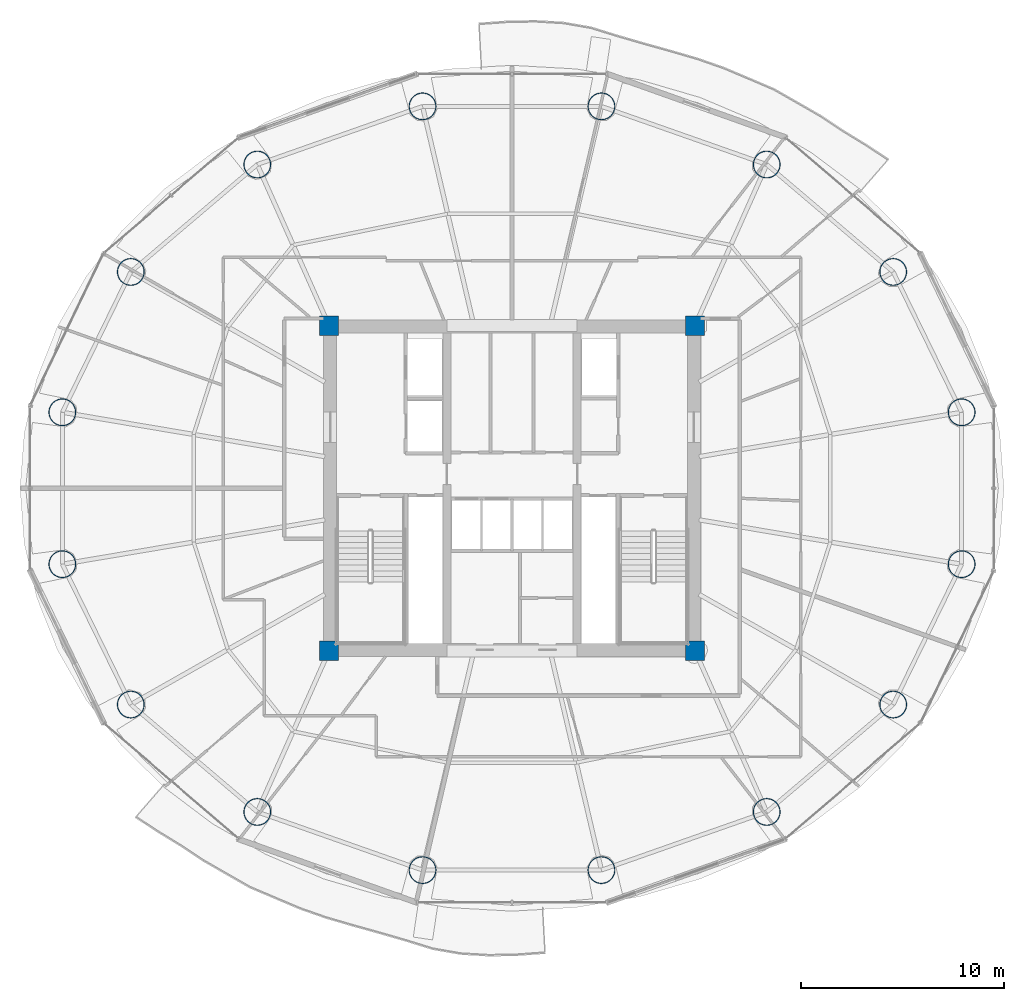
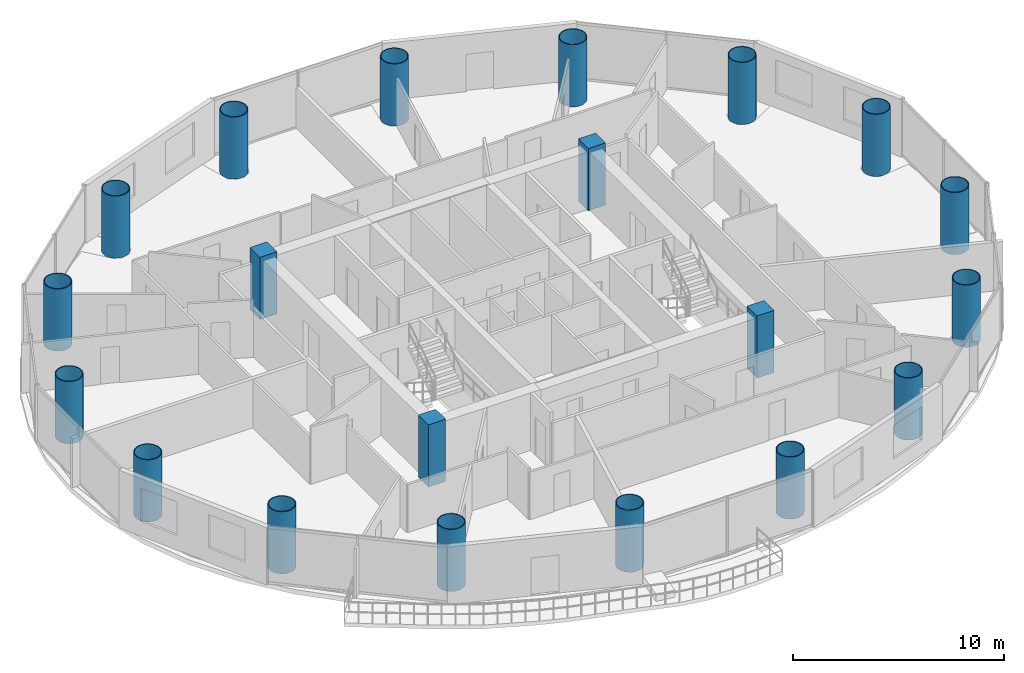
# One storey, part 1 of 26: 20 columns.
"""IFC4 building model written with IfcOpenShell, lengths in metres."""

import ifcopenshell
import ifcopenshell.guid

model = None  # the IFC model being written
_history = None  # IfcOwnerHistory: only IFC2X3 demands one
_inside = {}  # id of a spatial element -> (the spatial element, [elements in it])
_under = {}  # id of a project, library or spatial element -> (it, [spatial elements below it])
_declared = {}  # id of a project -> (the project, [libraries it declares])
_typed = {}  # id of a type object -> (the type object, [elements of that type])
_made_of = {}  # id of a material, layer set ... -> (it, [elements and type objects made of it])


def new_model(schema):
    """Start an empty IFC model of exactly this schema.

    Asked for "IFC4X3", IfcOpenShell would pick the latest addendum, in which some entities
    have other attributes; the version numbers below select the first issue.
    IFC2X3 requires an IfcOwnerHistory on every rooted entity: one is made here for all.
    """
    global model, _history
    if schema == "IFC4X3":
        model = ifcopenshell.file(schema_version=(4, 3, 0, 0))
    else:
        model = ifcopenshell.file(schema=schema)
    _inside.clear()
    _under.clear()
    _declared.clear()
    _typed.clear()
    _made_of.clear()
    _history = None
    if model.schema == "IFC2X3":
        org = make("IfcOrganization", Name="unknown")
        user = make(
            "IfcPersonAndOrganization",
            ThePerson=make("IfcPerson", FamilyName="unknown"),
            TheOrganization=org,
        )
        app = make(
            "IfcApplication",
            ApplicationDeveloper=org,
            Version="unknown",
            ApplicationFullName="unknown",
            ApplicationIdentifier="unknown",
        )
        _history = make(
            "IfcOwnerHistory",
            OwningUser=user,
            OwningApplication=app,
            ChangeAction="ADDED",
            CreationDate=0,
        )
    return model


def make(cls, **values):
    """One entity of the class cls with the attributes given. An attribute that is None is left unset."""
    return model.create_entity(
        cls, **{name: value for name, value in values.items() if value is not None}
    )


def rooted(cls, **values):
    """An entity with a GlobalId (a new one), such as an element, a storey or a relation."""
    return make(cls, GlobalId=ifcopenshell.guid.new(), OwnerHistory=_history, **values)


def si_unit(unit_type, name, prefix=None):
    """IfcSIUnit, for example si_unit("LENGTHUNIT", "METRE", prefix="MILLI")."""
    return make("IfcSIUnit", UnitType=unit_type, Prefix=prefix, Name=name)


def assignment(units):
    """IfcUnitAssignment: the units of a project."""
    return None if units is None else make("IfcUnitAssignment", Units=units)


def point(xyz):
    """IfcCartesianPoint."""
    return None if xyz is None else make("IfcCartesianPoint", Coordinates=xyz)


def direction(xyz):
    """IfcDirection."""
    return None if xyz is None else make("IfcDirection", DirectionRatios=xyz)


def frame(location, z_axis=None, x_axis=None):
    """IfcAxis2Placement3D, a coordinate frame: its origin and axes. An axis left out is left unset."""
    return make(
        "IfcAxis2Placement3D",
        Location=point(location),
        Axis=direction(z_axis),
        RefDirection=direction(x_axis),
    )


def frame_2d(location, x_axis=None):
    """IfcAxis2Placement2D, a coordinate frame in the plane: its origin and x axis."""
    return make(
        "IfcAxis2Placement2D", Location=point(location), RefDirection=direction(x_axis)
    )


def origin():
    """The frame at (0, 0, 0) with its axes left unset."""
    return frame((0.0, 0.0, 0.0))


def origin_2d():
    """The frame at (0, 0) in the plane with its x axis left unset."""
    return frame_2d((0.0, 0.0))


def place(relative_to, where):
    """IfcLocalPlacement: puts the frame where relative to a parent placement (None: the world)."""
    return make(
        "IfcLocalPlacement", PlacementRelTo=relative_to, RelativePlacement=where
    )


def context(
    kind, dimensions, precision=None, world=None, true_north=None, identifier=None
):
    """IfcGeometricRepresentationContext, for example the 3D "Model" context."""
    return make(
        "IfcGeometricRepresentationContext",
        ContextIdentifier=identifier,
        ContextType=kind,
        CoordinateSpaceDimension=dimensions,
        Precision=precision,
        WorldCoordinateSystem=world,
        TrueNorth=true_north,
    )


def subcontext(parent, identifier, kind, view, scale=None):
    """IfcGeometricRepresentationSubContext, for example "Body" below "Model"."""
    return make(
        "IfcGeometricRepresentationSubContext",
        ContextIdentifier=identifier,
        ContextType=kind,
        ParentContext=parent,
        TargetScale=scale,
        TargetView=view,
    )


def project(units=None, contexts=None):
    """IfcProject with its units and contexts."""
    return rooted(
        "IfcProject",
        Name="project",
        RepresentationContexts=contexts,
        UnitsInContext=assignment(units),
    )


def spatial(cls, under=None, at=None, **own):
    """A site, building, storey or space (cls), placed at a placement, below another one or the project."""
    s = rooted(cls, ObjectPlacement=at, **own)
    if under is not None:
        _under.setdefault(under.id(), (under, []))[1].append(s)
    return s


def profile(cls, at=None, kind="AREA", **sizes):
    """A parametric profile (cls). Its sizes go by their IFC names, for example OverallWidth=200.0."""
    return make(cls, ProfileType=kind, Position=at, **sizes)


def rectangle(**sizes):
    """IfcRectangleProfileDef."""
    return profile("IfcRectangleProfileDef", **sizes)


def hollow_circle(**sizes):
    """IfcCircleHollowProfileDef."""
    return profile("IfcCircleHollowProfileDef", **sizes)


def extrude(swept, where, along, depth):
    """IfcExtrudedAreaSolid: the profile swept, set in the frame where, extruded along a direction by depth."""
    return make(
        "IfcExtrudedAreaSolid",
        SweptArea=swept,
        Position=where,
        ExtrudedDirection=direction(along),
        Depth=depth,
    )


def shape(context_of_items, identifier, shape_type, items):
    """IfcShapeRepresentation: the items that make up one representation, for example the "Body"."""
    return make(
        "IfcShapeRepresentation",
        ContextOfItems=context_of_items,
        RepresentationIdentifier=identifier,
        RepresentationType=shape_type,
        Items=items,
    )


def material(Name=None, Category=None):
    """IfcMaterial."""
    return make("IfcMaterial", Name=Name, Category=Category)


def material_profile(
    of_material, cross_section, Name=None, Category=None, Priority=None
):
    """IfcMaterialProfile: a cross section and its material."""
    return make(
        "IfcMaterialProfile",
        Name=Name,
        Material=of_material,
        Profile=cross_section,
        Priority=Priority,
        Category=Category,
    )


def profile_set(profiles, Name=None, composite=None):
    """IfcMaterialProfileSet."""
    return make(
        "IfcMaterialProfileSet",
        Name=Name,
        MaterialProfiles=profiles,
        CompositeProfile=composite,
    )


def made_of(thing, what):
    """Note that an element or type object is made of a material, layer set ...; save() writes the relation."""
    if what is not None:
        _made_of.setdefault(what.id(), (what, []))[1].append(thing)
    return thing


def type_object(cls, material=None, **own):
    """A type object (cls), such as IfcWallType, which elements share."""
    return made_of(rooted(cls, **own), material)


def element(
    cls,
    number,
    at=None,
    inside=None,
    cuts=None,
    type_object=None,
    material=None,
    context=None,
    identifier="Body",
    shape_type=None,
    held_by="IfcProductDefinitionShape",
    body=None,
    shapes=None,
    **own,
):
    """One element of the class cls, such as IfcWall. Its Tag is "e" and its number.

    at: its placement. inside: the storey or other place that contains it. cuts: it is an
    opening in that element (IfcRelVoidsElement). A single representation is given by context,
    identifier, shape_type and body (its items); several are given by shapes. held_by: the class
    of the entity that holds the representations. save() writes the other relations.
    """
    e = rooted(cls, Tag="e%d" % number, ObjectPlacement=at, **own)
    if body is not None:
        shapes = [shape(context, identifier, shape_type, body)]
    if shapes is not None:
        e.Representation = make(held_by, Representations=shapes)
    if inside is not None:
        _inside.setdefault(inside.id(), (inside, []))[1].append(e)
    if cuts is not None:
        rooted(
            "IfcRelVoidsElement", RelatingBuildingElement=cuts, RelatedOpeningElement=e
        )
    if type_object is not None:
        _typed.setdefault(type_object.id(), (type_object, []))[1].append(e)
    return made_of(e, material)


def aggregate(whole, parts):
    """IfcRelAggregates: a whole, such as a stair, and the parts it consists of."""
    return rooted("IfcRelAggregates", RelatingObject=whole, RelatedObjects=parts)


def save(model, path):
    """Write the relations noted so far, then the file.

    IfcRelAggregates (storeys below a building ...), IfcRelContainedInSpatialStructure (elements
    in a storey), IfcRelDefinesByType, IfcRelAssociatesMaterial and IfcRelDeclares: one each for
    every whole, place, type object, material and project.
    """
    for whole, parts in _under.values():
        aggregate(whole, parts)
    for where, things in _inside.values():
        rooted(
            "IfcRelContainedInSpatialStructure",
            RelatedElements=things,
            RelatingStructure=where,
        )
    for kind, things in _typed.values():
        rooted("IfcRelDefinesByType", RelatedObjects=things, RelatingType=kind)
    for what, things in _made_of.values():
        rooted("IfcRelAssociatesMaterial", RelatedObjects=things, RelatingMaterial=what)
    for by, libraries in _declared.values():
        rooted("IfcRelDeclares", RelatingContext=by, RelatedDefinitions=libraries)
    model.write(path)


model = new_model("IFC4")

# Units and contexts
model_context = context("Model", 3, precision=1e-05, world=origin(), true_north=direction((-0.2419218956, 0.970295726276)))
body_context = subcontext(model_context, "Body", "Model", "MODEL_VIEW")
ifc_project = project(units=[si_unit("LENGTHUNIT", "METRE"), si_unit("AREAUNIT", "SQUARE_METRE"), si_unit("VOLUMEUNIT", "CUBIC_METRE"), si_unit("PLANEANGLEUNIT", "RADIAN"), si_unit("MASSUNIT", "GRAM", prefix="KILO")], contexts=[model_context])

# Site, building, storey
site_placement = place(None, origin())
site = spatial("IfcSite", under=ifc_project, at=site_placement, CompositionType="ELEMENT")
building_placement = place(site_placement, origin())
building = spatial("IfcBuilding", under=site, at=building_placement, Name="Cobrevalo Terracotta Tower", CompositionType="ELEMENT")
storey_placement = place(building_placement, frame((0.0, 0.0, 178.60009765625)))
storey = spatial("IfcBuildingStorey", under=building, at=storey_placement, Name="L47", CompositionType="ELEMENT", Elevation=178.60009765625)

# Columns
ifc_material_1 = material(Name="Steel S355", Category="steel")
ifc_material_profile_1 = material_profile(ifc_material_1, hollow_circle(Radius=0.675048828125, WallThickness=0.0419921875, at=origin_2d()), Name="CHS 1350x42")
ifc_profile_set_1 = profile_set([ifc_material_profile_1], Name="Steel S355")
column_type_1 = type_object("IfcColumnType", Name="Structural Column CHS 1350x42 (Steel S355)", PredefinedType="COLUMN", material=ifc_profile_set_1)
for number, where, z_axis, x_axis, name in (
    (1, (60.11669921875, 30.535888671875, 0.0), (0.0, 0.0, 1.0), (1.0, 0.0, 0.0), "L47 composite megacolumn MC01"),
    (2, (56.749755859375, 37.439208984375, 0.0), (0.0, 0.0, 1.0), (1.0, 0.0, 0.0), "L47 composite megacolumn MC02"),
    (3, (50.528076171875, 42.72265625, 0.0), (0.0, 0.0, 1.0), (1.0, 0.0, 0.0), "L47 composite megacolumn MC03"),
    (4, (42.399169921875, 45.58203125, 0.0), (0.0, 0.0, 1.0), (1.0, 0.0, 0.0), "L47 composite megacolumn MC04"),
    (5, (33.600830078125, 45.58203125, 0.0), (0.0, 0.0, 1.0), (1.0, 0.0, 0.0), "L47 composite megacolumn MC05"),
    (6, (25.471923828125, 42.72265625, 0.0), (0.0, 0.0, 1.0), (1.0, 0.0, 0.0), "L47 composite megacolumn MC06"),
    (7, (19.250244140625, 37.439208984375, 0.0), (0.0, 0.0, 1.0), (1.0, 0.0, 0.0), "L47 composite megacolumn MC07"),
    (8, (15.88330078125, 30.535888671875, 0.0), (0.0, 0.0, 1.0), (1.0, 0.0, 0.0), "L47 composite megacolumn MC08"),
    (9, (15.88330078125, 23.06396484375, 0.0), (0.0, 0.0, 1.0), (1.0, 0.0, 0.0), "L47 composite megacolumn MC09"),
    (10, (19.250244140625, 16.160888671875, 0.0), (0.0, 0.0, 1.0), (1.0, 0.0, 0.0), "L47 composite megacolumn MC10"),
    (11, (25.471923828125, 10.87744140625, 0.0), (0.0, 0.0, 1.0), (1.0, 0.0, 0.0), "L47 composite megacolumn MC11"),
    (12, (33.600830078125, 8.01806640625, 0.0), (0.0, 0.0, 1.0), (1.0, 0.0, 0.0), "L47 composite megacolumn MC12"),
    (13, (42.399169921875, 8.01806640625, 0.0), (0.0, 0.0, 1.0), (1.0, 0.0, 0.0), "L47 composite megacolumn MC13"),
    (14, (50.528076171875, 10.87744140625, 0.0), (0.0, 0.0, 1.0), (1.0, 0.0, 0.0), "L47 composite megacolumn MC14"),
    (15, (56.749755859375, 16.160888671875, 0.0), (0.0, 0.0, 1.0), (1.0, 0.0, 0.0), "L47 composite megacolumn MC15"),
    (16, (60.11669921875, 23.06396484375, 0.0), (0.0, 0.0, 1.0), (1.0, 0.0, 0.0), "L47 composite megacolumn MC16"),
):
    element("IfcColumn", number, at=place(storey_placement, frame(where, z_axis=z_axis, x_axis=x_axis)), inside=storey, type_object=column_type_1, Name=name, PredefinedType="COLUMN", context=body_context, shape_type="SweptSolid", body=[
        extrude(hollow_circle(Radius=0.675048828125, WallThickness=0.0419921875, at=origin_2d()), origin(), (0.0, 0.0, 1.0), 3.599853515625),
    ])
ifc_material_2 = material(Name="Concrete C55", Category="concrete")
ifc_material_profile_2 = material_profile(ifc_material_2, rectangle(XDim=0.949951171875, YDim=0.949951171875, at=origin_2d()), Name="RC COL 950x950")
ifc_profile_set_2 = profile_set([ifc_material_profile_2], Name="Concrete C55")
column_type_2 = type_object("IfcColumnType", Name="Structural Column RC COL 950x950 (Concrete C55)", PredefinedType="COLUMN", material=ifc_profile_set_2)
for number, where, z_axis, x_axis, name in (
    (17, (29.0, 18.800048828125, 0.0), (0.0, 0.0, 1.0), (1.0, 0.0, 0.0), "L47 core corner column CC1"),
    (18, (47.0, 18.800048828125, 0.0), (0.0, 0.0, 1.0), (1.0, 0.0, 0.0), "L47 core corner column CC2"),
    (19, (47.0, 34.800048828125, 0.0), (0.0, 0.0, 1.0), (1.0, 0.0, 0.0), "L47 core corner column CC3"),
    (20, (29.0, 34.800048828125, 0.0), (0.0, 0.0, 1.0), (1.0, 0.0, 0.0), "L47 core corner column CC4"),
):
    element("IfcColumn", number, at=place(storey_placement, frame(where, z_axis=z_axis, x_axis=x_axis)), inside=storey, type_object=column_type_2, Name=name, PredefinedType="COLUMN", context=body_context, shape_type="SweptSolid", body=[
        extrude(rectangle(XDim=0.949951171875, YDim=0.949951171875, at=origin_2d()), origin(), (0.0, 0.0, 1.0), 3.599853515625),
    ])

save(model, "model.ifc")
